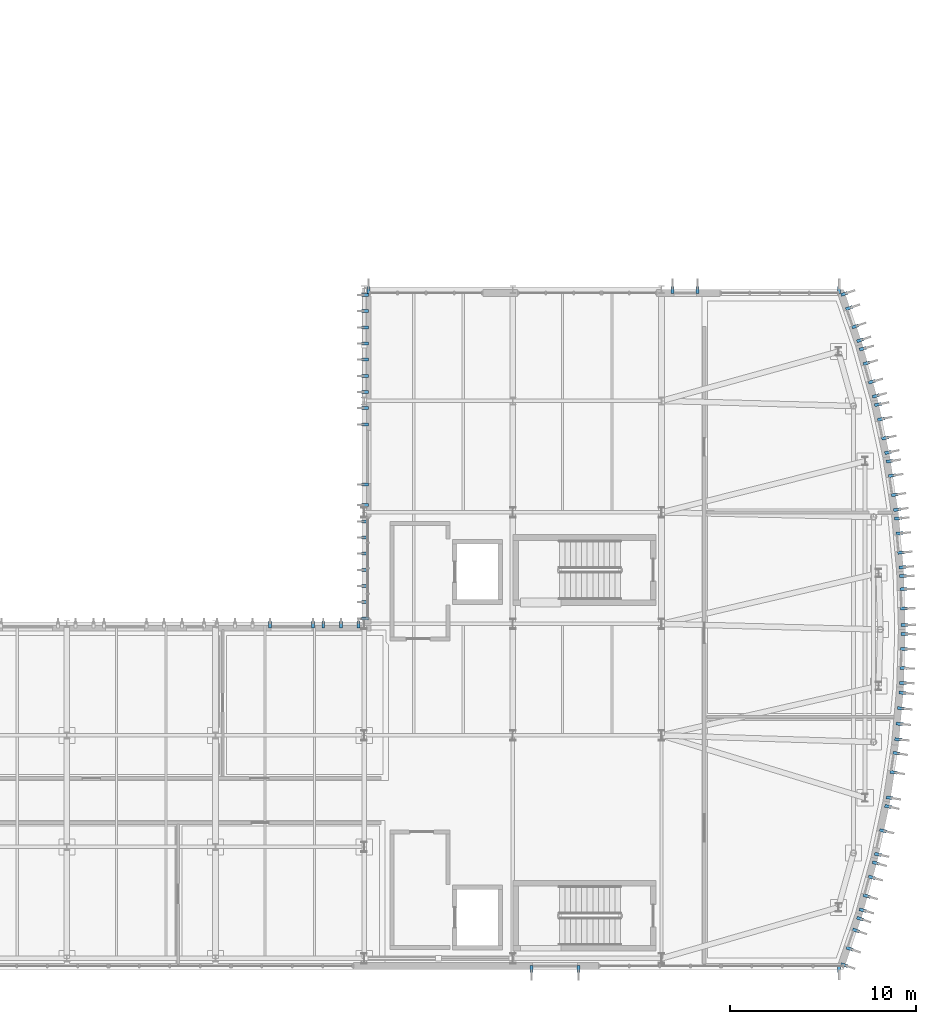
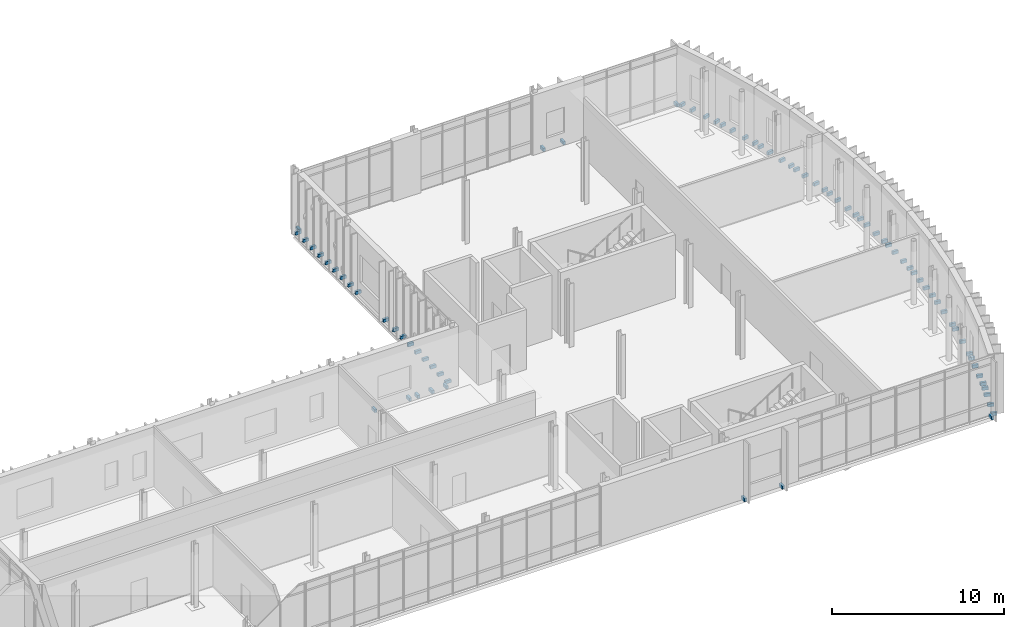
# One storey, part 71 of 86: 76 discrete accessories.
"""IFC4 building model written with IfcOpenShell, lengths in metres."""

from ifc_helpers import new_model, si_unit, direction, frame, origin, origin_2d, place, context, subcontext, project, spatial, rectangle, extrude, material, type_object, element, save


model = new_model("IFC4")

# Units and contexts
model_context = context("Model", 3, precision=1e-05, world=origin(), true_north=direction((0.0, 1.0)))
body_context = subcontext(model_context, "Body", "Model", "MODEL_VIEW")
ifc_project = project(units=[si_unit("LENGTHUNIT", "METRE"), si_unit("AREAUNIT", "SQUARE_METRE"), si_unit("VOLUMEUNIT", "CUBIC_METRE"), si_unit("PLANEANGLEUNIT", "RADIAN"), si_unit("MASSUNIT", "GRAM", prefix="KILO")], contexts=[model_context])

# Site, building, storey
site_placement = place(None, origin())
site = spatial("IfcSite", under=ifc_project, at=site_placement, CompositionType="ELEMENT")
building_placement = place(site_placement, origin())
building = spatial("IfcBuilding", under=site, at=building_placement, Name="Cymarion Research Institute", CompositionType="ELEMENT")
storey_placement = place(building_placement, frame((0.0, 0.0, 13.800048828125)))
storey = spatial("IfcBuildingStorey", under=building, at=storey_placement, Name="L03", CompositionType="ELEMENT", Elevation=13.800048828125)

# Discrete accessories
ifc_material = material(Name="Steel S355", Category="steel")
discrete_accessory_type = type_object("IfcDiscreteAccessoryType", Name="STAINLESS STEEL FACADE FIN BRACKET FBK1", PredefinedType="BRACKET", material=ifc_material)
for number, where, z_axis, x_axis, name in (
    (1, (147.5966796875, 4.93994140625, -0.08984375), (0.0, 0.0, 1.0), (0.0, -1.0, 0.0), "L03 V1 precast fin anchor bracket #317"),
    (2, (150.13671875, 4.93994140625, -0.08984375), (0.0, 0.0, 1.0), (0.0, -1.0, 0.0), "L03 V1 precast fin anchor bracket #318"),
    (3, (164.159912109375, 4.93994140625, -0.08984375), (0.0, 0.0, 1.0), (0.0, -1.0, 0.0), "L03 V1 precast fin anchor bracket #319"),
    (4, (164.439697265625, 5.139892578125, -0.08984375), (0.0, 0.0, 1.0), (0.946141878672, -0.32375229022, 0.0), "L03 V1 precast fin anchor bracket #320"),
    (5, (164.7392578125, 6.014892578125, -0.08984375), (0.0, 0.0, 1.0), (0.946141878672, -0.32375229022, 0.0), "L03 V1 precast fin anchor bracket #321"),
    (6, (165.07568359375, 6.998779296875, -0.08984375), (0.0, 0.0, 1.0), (0.946141878672, -0.32375229022, 0.0), "L03 V1 precast fin anchor bracket #322"),
    (7, (165.293212890625, 7.634521484375, -0.08984375), (0.0, 0.0, 1.0), (0.946141878672, -0.32375229022, 0.0), "L03 V1 precast fin anchor bracket #323"),
    (8, (165.43408203125, 8.090576171875, -0.08984375), (0.0, 0.0, 1.0), (0.963863295733, -0.266397348219, 0.0), "L03 V1 precast fin anchor bracket #324"),
    (9, (165.645263671875, 8.853759765625, -0.08984375), (0.0, 0.0, 1.0), (0.963863295733, -0.266397348219, 0.0), "L03 V1 precast fin anchor bracket #325"),
    (10, (165.92236328125, 9.856201171875, -0.08984375), (0.0, 0.0, 1.0), (0.963863295733, -0.266397348219, 0.0), "L03 V1 precast fin anchor bracket #326"),
    (11, (166.13671875, 10.631591796875, -0.08984375), (0.0, 0.0, 1.0), (0.963863295733, -0.266397348219, 0.0), "L03 V1 precast fin anchor bracket #327"),
    (12, (166.25, 11.09521484375, -0.08984375), (0.0, 0.0, 1.0), (0.978074966272, -0.208253116068, 0.0), "L03 V1 precast fin anchor bracket #328"),
    (13, (166.52099609375, 12.36767578125, -0.08984375), (0.0, 0.0, 1.0), (0.978074966272, -0.208253116068, 0.0), "L03 V1 precast fin anchor bracket #329"),
    (14, (166.799072265625, 13.673583984375, -0.08984375), (0.0, 0.0, 1.0), (0.978074966272, -0.208253116068, 0.0), "L03 V1 precast fin anchor bracket #330"),
    (15, (166.884521484375, 14.143310546875, -0.08984375), (0.0, 0.0, 1.0), (0.988782464828, -0.149362770624, 0.0), "L03 V1 precast fin anchor bracket #331"),
    (16, (167.091064453125, 15.511962890625, -0.08984375), (0.0, 0.0, 1.0), (0.988782464828, -0.149362770624, 0.0), "L03 V1 precast fin anchor bracket #332"),
    (17, (167.24609375, 16.540283203125, -0.08984375), (0.0, 0.0, 1.0), (0.988782464828, -0.149362770624, 0.0), "L03 V1 precast fin anchor bracket #333"),
    (18, (167.34033203125, 17.28369140625, -0.08984375), (0.0, 0.0, 1.0), (0.995963111248, -0.089763472712, 0.0), "L03 V1 precast fin anchor bracket #334"),
    (19, (167.415771484375, 18.119140625, -0.08984375), (0.0, 0.0, 1.0), (0.995963111248, -0.089763472712, 0.0), "L03 V1 precast fin anchor bracket #335"),
    (20, (167.490966796875, 18.95458984375, -0.08984375), (0.0, 0.0, 1.0), (0.995963111248, -0.089763472712, 0.0), "L03 V1 precast fin anchor bracket #336"),
    (21, (167.56640625, 19.789794921875, -0.08984375), (0.0, 0.0, 1.0), (0.995963111248, -0.089763472712, 0.0), "L03 V1 precast fin anchor bracket #337"),
    (22, (167.600341796875, 20.326171875, -0.08984375), (0.0, 0.0, 1.0), (0.99954944375, -0.030015154483, 0.0), "L03 V1 precast fin anchor bracket #338"),
    (23, (167.6240234375, 21.117919921875, -0.08984375), (0.0, 0.0, 1.0), (0.99954944375, -0.030015154483, 0.0), "L03 V1 precast fin anchor bracket #339"),
    (24, (167.6552734375, 22.157470703125, -0.08984375), (0.0, 0.0, 1.0), (0.99954944375, -0.030015154483, 0.0), "L03 V1 precast fin anchor bracket #340"),
    (25, (167.67919921875, 22.961181640625, -0.08984375), (0.0, 0.0, 1.0), (0.99954944375, -0.030015154483, 0.0), "L03 V1 precast fin anchor bracket #341"),
    (26, (167.67919921875, 23.438720703125, -0.08984375), (0.0, 0.0, 1.0), (0.99954944375, 0.030015154483, 0.0), "L03 V1 precast fin anchor bracket #342"),
    (27, (167.652587890625, 24.330322265625, -0.08984375), (0.0, 0.0, 1.0), (0.99954944375, 0.030015154483, 0.0), "L03 V1 precast fin anchor bracket #343"),
    (28, (167.621337890625, 25.369873046875, -0.08984375), (0.0, 0.0, 1.0), (0.99954944375, 0.030015154483, 0.0), "L03 V1 precast fin anchor bracket #344"),
    (29, (167.600341796875, 26.07373046875, -0.08984375), (0.0, 0.0, 1.0), (0.99954944375, 0.030015154483, 0.0), "L03 V1 precast fin anchor bracket #345"),
    (30, (167.57177734375, 26.55029296875, -0.08984375), (0.0, 0.0, 1.0), (0.995963111248, 0.089763472712, 0.0), "L03 V1 precast fin anchor bracket #346"),
    (31, (167.50048828125, 27.339111328125, -0.08984375), (0.0, 0.0, 1.0), (0.995963111248, 0.089763472712, 0.0), "L03 V1 precast fin anchor bracket #347"),
    (32, (167.4072265625, 28.375, -0.08984375), (0.0, 0.0, 1.0), (0.995963111248, 0.089763472712, 0.0), "L03 V1 precast fin anchor bracket #348"),
    (33, (167.3349609375, 29.176025390625, -0.08984375), (0.0, 0.0, 1.0), (0.995963111248, 0.089763472712, 0.0), "L03 V1 precast fin anchor bracket #349"),
    (34, (167.27783203125, 29.64990234375, -0.08984375), (0.0, 0.0, 1.0), (0.988782464828, 0.149362770624, 0.0), "L03 V1 precast fin anchor bracket #350"),
    (35, (167.156982421875, 30.450927734375, -0.08984375), (0.0, 0.0, 1.0), (0.988782464828, 0.149362770624, 0.0), "L03 V1 precast fin anchor bracket #351"),
    (36, (167.001708984375, 31.479248046875, -0.08984375), (0.0, 0.0, 1.0), (0.988782464828, 0.149362770624, 0.0), "L03 V1 precast fin anchor bracket #352"),
    (37, (166.884521484375, 32.256591796875, -0.08984375), (0.0, 0.0, 1.0), (0.988782464828, 0.149362770624, 0.0), "L03 V1 precast fin anchor bracket #353"),
    (38, (166.799072265625, 32.726318359375, -0.08984375), (0.0, 0.0, 1.0), (0.978074966272, 0.208253116068, 0.0), "L03 V1 precast fin anchor bracket #354"),
    (39, (166.634033203125, 33.5009765625, -0.08984375), (0.0, 0.0, 1.0), (0.978074966272, 0.208253116068, 0.0), "L03 V1 precast fin anchor bracket #355"),
    (40, (166.41748046875, 34.518310546875, -0.08984375), (0.0, 0.0, 1.0), (0.978074966272, 0.208253116068, 0.0), "L03 V1 precast fin anchor bracket #356"),
    (41, (166.25, 35.3046875, -0.08984375), (0.0, 0.0, 1.0), (0.978074966272, 0.208253116068, 0.0), "L03 V1 precast fin anchor bracket #357"),
    (42, (166.13671875, 35.7685546875, -0.08984375), (0.0, 0.0, 1.0), (0.963863295733, 0.266397348219, 0.0), "L03 V1 precast fin anchor bracket #358"),
    (43, (165.925537109375, 36.531982421875, -0.08984375), (0.0, 0.0, 1.0), (0.963863295733, 0.266397348219, 0.0), "L03 V1 precast fin anchor bracket #359"),
    (44, (165.6484375, 37.5341796875, -0.08984375), (0.0, 0.0, 1.0), (0.963863295733, 0.266397348219, 0.0), "L03 V1 precast fin anchor bracket #360"),
    (45, (165.43408203125, 38.3095703125, -0.08984375), (0.0, 0.0, 1.0), (0.963863295733, 0.266397348219, 0.0), "L03 V1 precast fin anchor bracket #361"),
    (46, (165.293212890625, 38.765625, -0.08984375), (0.0, 0.0, 1.0), (0.946141878672, 0.32375229022, 0.0), "L03 V1 precast fin anchor bracket #362"),
    (47, (165.036865234375, 39.514892578125, -0.08984375), (0.0, 0.0, 1.0), (0.946141878672, 0.32375229022, 0.0), "L03 V1 precast fin anchor bracket #363"),
    (48, (164.7001953125, 40.4990234375, -0.08984375), (0.0, 0.0, 1.0), (0.946141878672, 0.32375229022, 0.0), "L03 V1 precast fin anchor bracket #364"),
    (49, (164.439697265625, 41.260009765625, -0.08984375), (0.0, 0.0, 1.0), (0.946141878672, 0.32375229022, 0.0), "L03 V1 precast fin anchor bracket #365"),
    (50, (164.159912109375, 41.4599609375, -0.08984375), (0.0, 0.0, 1.0), (0.0, 1.0, 0.0), "L03 V1 precast fin anchor bracket #366"),
    (51, (156.539794921875, 41.4599609375, -0.08984375), (0.0, 0.0, 1.0), (0.0, 1.0, 0.0), "L03 V1 precast fin anchor bracket #367"),
    (52, (155.19970703125, 41.4599609375, -0.08984375), (0.0, 0.0, 1.0), (0.0, 1.0, 0.0), "L03 V1 precast fin anchor bracket #368"),
    (53, (138.840087890625, 41.4599609375, -0.08984375), (0.0, 0.0, 1.0), (0.0, 1.0, 0.0), "L03 V1 precast fin anchor bracket #369"),
    (54, (138.639892578125, 41.199951171875, -0.08984375), (0.0, 0.0, 1.0), (-1.0, 0.0, 0.0), "L03 V1 precast fin anchor bracket #370"),
    (55, (138.639892578125, 40.330078125, -0.08984375), (0.0, 0.0, 1.0), (-1.0, 0.0, 0.0), "L03 V1 precast fin anchor bracket #371"),
    (56, (138.639892578125, 39.4599609375, -0.08984375), (0.0, 0.0, 1.0), (-1.0, 0.0, 0.0), "L03 V1 precast fin anchor bracket #372"),
    (57, (138.639892578125, 38.590087890625, -0.08984375), (0.0, 0.0, 1.0), (-1.0, 0.0, 0.0), "L03 V1 precast fin anchor bracket #373"),
    (58, (138.639892578125, 37.719970703125, -0.08984375), (0.0, 0.0, 1.0), (-1.0, 0.0, 0.0), "L03 V1 precast fin anchor bracket #374"),
    (59, (138.639892578125, 36.85009765625, -0.08984375), (0.0, 0.0, 1.0), (-1.0, 0.0, 0.0), "L03 V1 precast fin anchor bracket #375"),
    (60, (138.639892578125, 35.97998046875, -0.08984375), (0.0, 0.0, 1.0), (-1.0, 0.0, 0.0), "L03 V1 precast fin anchor bracket #376"),
    (61, (138.639892578125, 35.110107421875, -0.08984375), (0.0, 0.0, 1.0), (-1.0, 0.0, 0.0), "L03 V1 precast fin anchor bracket #377"),
    (62, (138.639892578125, 34.239990234375, -0.08984375), (0.0, 0.0, 1.0), (-1.0, 0.0, 0.0), "L03 V1 precast fin anchor bracket #378"),
    (63, (138.639892578125, 31.0048828125, -0.08984375), (0.0, 0.0, 1.0), (-1.0, 0.0, 0.0), "L03 V1 precast fin anchor bracket #379"),
    (64, (138.639892578125, 29.889892578125, -0.08984375), (0.0, 0.0, 1.0), (-1.0, 0.0, 0.0), "L03 V1 precast fin anchor bracket #380"),
    (65, (138.639892578125, 29.02001953125, -0.08984375), (0.0, 0.0, 1.0), (-1.0, 0.0, 0.0), "L03 V1 precast fin anchor bracket #381"),
    (66, (138.639892578125, 28.14990234375, -0.08984375), (0.0, 0.0, 1.0), (-1.0, 0.0, 0.0), "L03 V1 precast fin anchor bracket #382"),
    (67, (138.639892578125, 27.280029296875, -0.08984375), (0.0, 0.0, 1.0), (-1.0, 0.0, 0.0), "L03 V1 precast fin anchor bracket #383"),
    (68, (138.639892578125, 26.409912109375, -0.08984375), (0.0, 0.0, 1.0), (-1.0, 0.0, 0.0), "L03 V1 precast fin anchor bracket #384"),
    (69, (138.639892578125, 25.5400390625, -0.08984375), (0.0, 0.0, 1.0), (-1.0, 0.0, 0.0), "L03 V1 precast fin anchor bracket #385"),
    (70, (138.639892578125, 24.669921875, -0.08984375), (0.0, 0.0, 1.0), (-1.0, 0.0, 0.0), "L03 V1 precast fin anchor bracket #386"),
    (71, (138.639892578125, 23.800048828125, -0.08984375), (0.0, 0.0, 1.0), (-1.0, 0.0, 0.0), "L03 V1 precast fin anchor bracket #387"),
    (72, (138.300048828125, 23.4599609375, -0.08984375), (0.0, 0.0, 1.0), (0.0, 1.0, 0.0), "L03 V1 precast fin anchor bracket #388"),
    (73, (137.3486328125, 23.4599609375, -0.08984375), (0.0, 0.0, 1.0), (0.0, 1.0, 0.0), "L03 V1 precast fin anchor bracket #389"),
    (74, (136.397216796875, 23.4599609375, -0.08984375), (0.0, 0.0, 1.0), (0.0, 1.0, 0.0), "L03 V1 precast fin anchor bracket #390"),
    (75, (135.840087890625, 23.4599609375, -0.08984375), (0.0, 0.0, 1.0), (0.0, 1.0, 0.0), "L03 V1 precast fin anchor bracket #391"),
    (76, (133.52001953125, 23.4599609375, -0.08984375), (0.0, 0.0, 1.0), (0.0, 1.0, 0.0), "L03 V1 precast fin anchor bracket #392"),
):
    element("IfcDiscreteAccessory", number, at=place(storey_placement, frame(where, z_axis=z_axis, x_axis=x_axis)), inside=storey, type_object=discrete_accessory_type, Name=name, PredefinedType="BRACKET", context=body_context, shape_type="SweptSolid", body=[
        extrude(rectangle(XDim=0.3798828125, YDim=0.159912109375, at=origin_2d()), origin(), (0.0, 0.0, 1.0), 0.219970703125),
    ])

save(model, "model.ifc")
